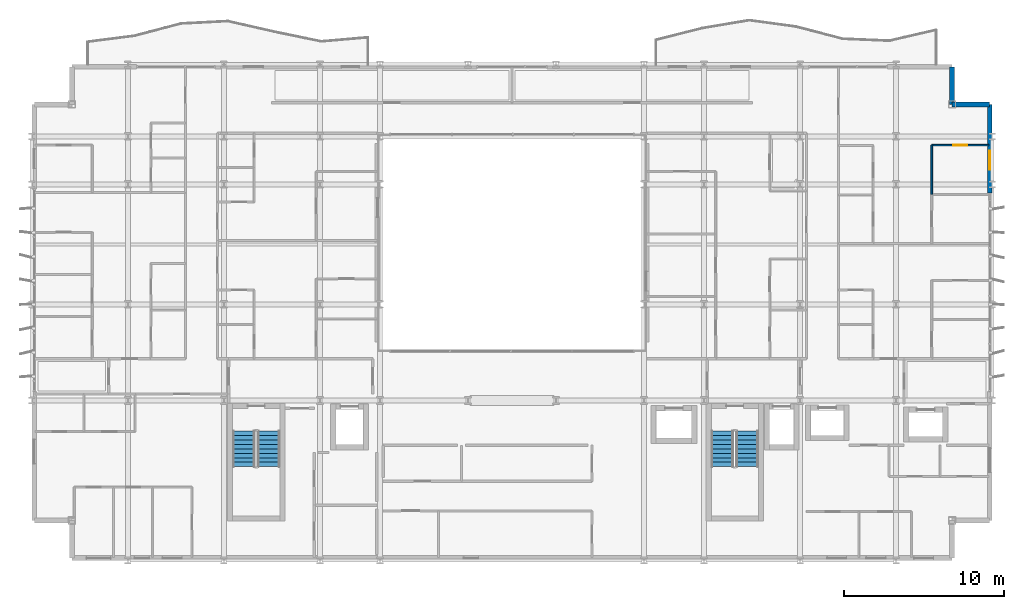
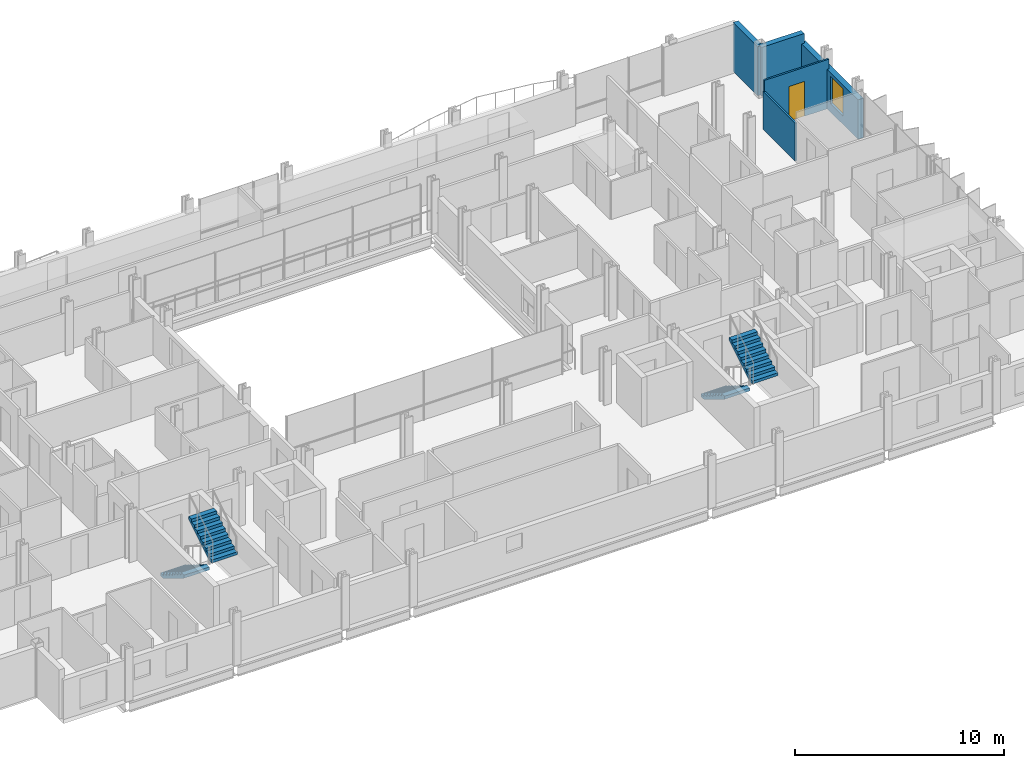
# One storey, part 33 of 39: 5 walls, 4 stair flights, 1 door, 1 window, 2 openings, 2 elements without a shape of their own.
"""IFC4 building model written with IfcOpenShell, lengths in metres."""

from ifc_helpers import new_model, si_unit, direction, frame, frame_2d, origin, place, context, subcontext, project, spatial, polyline, rectangle, outline, extrude, material, layer, layer_set, type_object, element, fill, aggregate, save


model = new_model("IFC4")

# Units and contexts
model_context = context("Model", 3, precision=1e-05, world=origin(), true_north=direction((0.0, 1.0)))
body_context = subcontext(model_context, "Body", "Model", "MODEL_VIEW")
ifc_project = project(units=[si_unit("LENGTHUNIT", "METRE"), si_unit("AREAUNIT", "SQUARE_METRE"), si_unit("VOLUMEUNIT", "CUBIC_METRE"), si_unit("PLANEANGLEUNIT", "RADIAN"), si_unit("MASSUNIT", "GRAM", prefix="KILO")], contexts=[model_context])

# Site, building, storey
site_placement = place(None, origin())
site = spatial("IfcSite", under=ifc_project, at=site_placement, CompositionType="ELEMENT")
building_placement = place(site_placement, origin())
building = spatial("IfcBuilding", under=site, at=building_placement, Name="Brevholm Reach", CompositionType="ELEMENT")
storey_placement = place(building_placement, frame((0.0, 0.0, 40.39990234375)))
storey = spatial("IfcBuildingStorey", under=building, at=storey_placement, Name="L10", CompositionType="ELEMENT", Elevation=40.39990234375)

# Walls
ifc_material_1 = material(Name="Concrete C40/50", Category="concrete")
ifc_layer_1 = layer(ifc_material_1, 0.300048828125)
ifc_layer_set_1 = layer_set([ifc_layer_1], Name="Concrete C40/50")
wall_type_1 = type_object("IfcWallType", Name="WAL-EXT-300", PredefinedType="STANDARD", material=ifc_layer_set_1)
for number, where, z_axis, x_axis, name in (
    (1, (59.85009765625, 28.5, 0.0), (0.0, 0.0, 1.0), (-1.0, 0.0, 0.0), "L10 Facade Wall WAL-L10-CNE1"),
    (2, (57.5, 28.5, 0.0), (0.0, 0.0, 1.0), (0.0, 1.0, 0.0), "L10 Facade Wall WAL-L10-CNE2"),
):
    element("IfcWall", number, at=place(storey_placement, frame(where, z_axis=z_axis, x_axis=x_axis)), inside=storey, type_object=wall_type_1, Name=name, PredefinedType="STANDARD", context=body_context, shape_type="SweptSolid", body=[
        extrude(rectangle(XDim=2.35009765625, YDim=0.300048828125, at=frame_2d((1.175048828125, 0.0))), origin(), (0.0, 0.0, 1.0), 2.8701171875),
    ])

# Wall, opening, window
wall_1_placement = place(storey_placement, frame((59.85009765625, 22.949951171875, 0.0), z_axis=(0.0, 0.0, 1.0), x_axis=(0.0, 1.0, 0.0)))
wall_1 = element("IfcWall", 3, at=wall_1_placement, inside=storey, type_object=wall_type_1, Name="L10 Facade Wall WAL-L10-E-N", PredefinedType="STANDARD", context=body_context, shape_type="SweptSolid", body=[
    extrude(rectangle(XDim=5.550048828125, YDim=0.300048828125, at=frame_2d((2.77490234375, 0.0))), origin(), (0.0, 0.0, 1.0), 2.3056640625),
])
opening_1_placement = place(wall_1_placement, frame((1.449951171875, 0.0, 0.486083984375)))
opening_1 = element("IfcOpeningElement", 4, at=opening_1_placement, cuts=wall_1, Name="Opening WN-08", PredefinedType="OPENING", context=body_context, shape_type="SweptSolid", body=[
    extrude(rectangle(XDim=1.199951171875, YDim=1.60009765625, at=frame_2d((0.60009765625, 0.800048828125))), frame((0.0, 0.159912109375, 0.0), z_axis=(0.0, -1.0, 0.0), x_axis=(1.0, 0.0, 0.0)), (0.0, 0.0, 1.0), 0.320068359375),
])
ifc_material_2 = material(Name="Dark Anodised Aluminium and Solar-Control IGU Glass", Category="aluminium")
window_type = type_object("IfcWindowType", Name="WIN-RES-1200", PartitioningType="SINGLE_PANEL", PredefinedType="WINDOW", material=ifc_material_2)
window_placement = place(opening_1_placement, origin())
window = element("IfcWindow", 5, at=window_placement, inside=storey, type_object=window_type, Name="L10 Window WIN-L10-EN-1", OverallHeight=1.60009765625, OverallWidth=1.199951171875, PartitioningType="SINGLE_PANEL", PredefinedType="WINDOW", context=body_context, shape_type="SweptSolid", body=[
    extrude(rectangle(XDim=1.199951171875, YDim=1.60009765625, at=frame_2d((0.60009765625, 0.800048828125))), frame((0.0, 0.030029296875, 0.0), z_axis=(0.0, -1.0, 0.0), x_axis=(1.0, 0.0, 0.0)), (0.0, 0.0, 1.0), 0.06005859375),
])
fill(opening_1, window)

# Wall, opening, door
ifc_material_3 = material(Name="Moisture-Resistant Acoustic Gypsum Stud Partition 100 mm", Category="gypsum")
ifc_layer_2 = layer(ifc_material_3, 0.10009765625)
ifc_layer_set_2 = layer_set([ifc_layer_2], Name="Moisture-Resistant Acoustic Gypsum Stud Partition 100 mm")
wall_type_2 = type_object("IfcWallType", Name="WAL-PRT-100", PredefinedType="PARTITIONING", material=ifc_layer_set_2)
wall_2_placement = place(storey_placement, frame((56.22802734375, 25.949951171875, 0.0), z_axis=(0.0, 0.0, 1.0), x_axis=(1.0, 0.0, 0.0)))
wall_2 = element("IfcWall", 6, at=wall_2_placement, inside=storey, type_object=wall_type_2, Name="L10 Internal Partition 157", PredefinedType="PARTITIONING", context=body_context, shape_type="SweptSolid", body=[
    extrude(rectangle(XDim=3.572021484375, YDim=0.10009765625, at=frame_2d((1.7861328125, 0.0))), origin(), (0.0, 0.0, 1.0), 2.8701171875),
])
opening_2_placement = place(wall_2_placement, frame((1.345947265625, 0.0, 0.0)))
opening_2 = element("IfcOpeningElement", 7, at=opening_2_placement, cuts=wall_2, Name="Opening ID-01", PredefinedType="OPENING", context=body_context, shape_type="SweptSolid", body=[
    extrude(rectangle(XDim=0.8798828125, YDim=2.0400390625, at=frame_2d((0.43994140625, 1.02001953125))), frame((0.0, 0.06005859375, 0.0), z_axis=(0.0, -1.0, 0.0), x_axis=(1.0, 0.0, 0.0)), (0.0, 0.0, 1.0), 0.1201171875),
])
ifc_material_4 = material(Name="Lacquered Ash Solid-Core Acoustic Internal Door", Category="timber")
door_type = type_object("IfcDoorType", Name="DOR-INT-880", OperationType="NOTDEFINED", PredefinedType="DOOR", material=ifc_material_4)
door_placement = place(opening_2_placement, origin())
door = element("IfcDoor", 8, at=door_placement, inside=storey, type_object=door_type, Name="L10 Internal Door 062", OperationType="SINGLE_SWING_RIGHT", OverallHeight=2.0400390625, OverallWidth=0.8798828125, PredefinedType="DOOR", context=body_context, shape_type="SweptSolid", body=[
    extrude(rectangle(XDim=0.8798828125, YDim=2.0400390625, at=frame_2d((0.43994140625, 1.02001953125))), frame((0.0, 0.02490234375, 0.0), z_axis=(0.0, -1.0, 0.0), x_axis=(1.0, 0.0, 0.0)), (0.0, 0.0, 1.0), 0.050048828125),
])
fill(opening_2, door)

# Wall
wall_3_placement = place(storey_placement, frame((56.22802734375, 22.87890625, 0.0), z_axis=(0.0, 0.0, 1.0), x_axis=(0.0, 1.0, 0.0)))
element("IfcWall", 9, at=wall_3_placement, inside=storey, type_object=wall_type_2, Name="L10 Internal Partition 158", PredefinedType="PARTITIONING", context=body_context, shape_type="SweptSolid", body=[
    extrude(rectangle(XDim=3.071044921875, YDim=0.10009765625, at=frame_2d((1.53564453125, 0.0))), origin(), (0.0, 0.0, 1.0), 2.224853515625),
])

# Stair, stair flights
ifc_material_5 = material(Name="Precast Concrete C40/50", Category="concrete")
stair_type = type_object("IfcStairType", Name="STR-ESC-1400", PredefinedType="DOUBLE_RETURN_STAIR", material=ifc_material_5)
stair_1_placement = place(storey_placement, origin())
stair_1 = element("IfcStair", 10, at=stair_1_placement, inside=storey, type_object=stair_type, Name="L10 ST-1", PredefinedType="DOUBLE_RETURN_STAIR")
ifc_material_6 = material(Name="Precast Concrete C40/50", Category="concrete")
ifc_layer_3 = layer(ifc_material_6, 0.18505859375)
ifc_layer_set_3 = layer_set([ifc_layer_3], Name="Precast Concrete C40/50")
stair_flight_type = type_object("IfcStairFlightType", Name="STF-PRC-185", PredefinedType="STRAIGHT", material=ifc_layer_set_3)
stair_flight_1_placement = place(storey_placement, frame((13.25, 8.10009765625, 0.0), z_axis=(0.0, 0.0, 1.0), x_axis=(0.0, -1.0, 0.0)))
stair_flight_1 = element("IfcStairFlight", 11, at=stair_flight_1_placement, type_object=stair_flight_type, Name="ST-1 flight 1", NumberOfRisers=9, NumberOfTreads=8, PredefinedType="STRAIGHT", RiserHeight=0.172222222, TreadLength=0.28, context=body_context, shape_type="SweptSolid", body=[
    extrude(outline(polyline([(0.0, 0.0), (0.0, 0.172119140625), (0.280029296875, 0.172119140625), (0.280029296875, 0.344482421875), (0.56005859375, 0.344482421875), (0.56005859375, 0.5166015625), (0.840087890625, 0.5166015625), (0.840087890625, 0.68896484375), (1.1201171875, 0.68896484375), (1.1201171875, 0.861083984375), (1.39990234375, 0.861083984375), (1.39990234375, 1.033447265625), (1.679931640625, 1.033447265625), (1.679931640625, 1.20556640625), (1.9599609375, 1.20556640625), (1.9599609375, 1.377685546875), (2.239990234375, 1.377685546875), (2.239990234375, 1.550048828125), (2.239990234375, 1.201904296875), (0.2861328125, 0.0), (0.0, 0.0)])), frame((0.0, 0.699951171875, 0.0), z_axis=(0.0, -1.0, 0.0), x_axis=(1.0, 0.0, 0.0)), (0.0, 0.0, 1.0), 1.39990234375),
])
stair_flight_2_placement = place(storey_placement, frame((14.800048828125, 5.860107421875, 1.550048828125), z_axis=(0.0, 0.0, 1.0), x_axis=(0.0, 1.0, 0.0)))
stair_flight_2 = element("IfcStairFlight", 12, at=stair_flight_2_placement, type_object=stair_flight_type, Name="ST-1 flight 2", NumberOfRisers=9, NumberOfTreads=8, PredefinedType="STRAIGHT", RiserHeight=0.172222222, TreadLength=0.28, context=body_context, shape_type="SweptSolid", body=[
    extrude(outline(polyline([(0.0, 0.0), (0.0, 0.172119140625), (0.280029296875, 0.172119140625), (0.280029296875, 0.344482421875), (0.56005859375, 0.344482421875), (0.56005859375, 0.5166015625), (0.840087890625, 0.5166015625), (0.840087890625, 0.68896484375), (1.1201171875, 0.68896484375), (1.1201171875, 0.861083984375), (1.39990234375, 0.861083984375), (1.39990234375, 1.033447265625), (1.679931640625, 1.033447265625), (1.679931640625, 1.20556640625), (1.9599609375, 1.20556640625), (1.9599609375, 1.377685546875), (2.239990234375, 1.377685546875), (2.239990234375, 1.550048828125), (2.239990234375, 1.201904296875), (0.2861328125, 0.0), (0.0, 0.0)])), frame((0.0, 0.699951171875, 0.0), z_axis=(0.0, -1.0, 0.0), x_axis=(1.0, 0.0, 0.0)), (0.0, 0.0, 1.0), 1.39990234375),
])
aggregate(stair_1, [stair_flight_1, stair_flight_2])

stair_2_placement = place(storey_placement, origin())
stair_2 = element("IfcStair", 13, at=stair_2_placement, inside=storey, type_object=stair_type, Name="L10 ST-2", PredefinedType="DOUBLE_RETURN_STAIR")
stair_flight_3_placement = place(storey_placement, frame((43.14990234375, 8.10009765625, 0.0), z_axis=(0.0, 0.0, 1.0), x_axis=(0.0, -1.0, 0.0)))
stair_flight_3 = element("IfcStairFlight", 14, at=stair_flight_3_placement, type_object=stair_flight_type, Name="ST-2 flight 1", NumberOfRisers=9, NumberOfTreads=8, PredefinedType="STRAIGHT", RiserHeight=0.172222222, TreadLength=0.28, context=body_context, shape_type="SweptSolid", body=[
    extrude(outline(polyline([(0.0, 0.0), (0.0, 0.172119140625), (0.280029296875, 0.172119140625), (0.280029296875, 0.344482421875), (0.56005859375, 0.344482421875), (0.56005859375, 0.5166015625), (0.840087890625, 0.5166015625), (0.840087890625, 0.68896484375), (1.1201171875, 0.68896484375), (1.1201171875, 0.861083984375), (1.39990234375, 0.861083984375), (1.39990234375, 1.033447265625), (1.679931640625, 1.033447265625), (1.679931640625, 1.20556640625), (1.9599609375, 1.20556640625), (1.9599609375, 1.377685546875), (2.239990234375, 1.377685546875), (2.239990234375, 1.550048828125), (2.239990234375, 1.201904296875), (0.2861328125, 0.0), (0.0, 0.0)])), frame((0.0, 0.699951171875, 0.0), z_axis=(0.0, -1.0, 0.0), x_axis=(1.0, 0.0, 0.0)), (0.0, 0.0, 1.0), 1.39990234375),
])
stair_flight_4_placement = place(storey_placement, frame((44.699951171875, 5.860107421875, 1.550048828125), z_axis=(0.0, 0.0, 1.0), x_axis=(0.0, 1.0, 0.0)))
stair_flight_4 = element("IfcStairFlight", 15, at=stair_flight_4_placement, type_object=stair_flight_type, Name="ST-2 flight 2", NumberOfRisers=9, NumberOfTreads=8, PredefinedType="STRAIGHT", RiserHeight=0.172222222, TreadLength=0.28, context=body_context, shape_type="SweptSolid", body=[
    extrude(outline(polyline([(0.0, 0.0), (0.0, 0.172119140625), (0.280029296875, 0.172119140625), (0.280029296875, 0.344482421875), (0.56005859375, 0.344482421875), (0.56005859375, 0.5166015625), (0.840087890625, 0.5166015625), (0.840087890625, 0.68896484375), (1.1201171875, 0.68896484375), (1.1201171875, 0.861083984375), (1.39990234375, 0.861083984375), (1.39990234375, 1.033447265625), (1.679931640625, 1.033447265625), (1.679931640625, 1.20556640625), (1.9599609375, 1.20556640625), (1.9599609375, 1.377685546875), (2.239990234375, 1.377685546875), (2.239990234375, 1.550048828125), (2.239990234375, 1.201904296875), (0.2861328125, 0.0), (0.0, 0.0)])), frame((0.0, 0.699951171875, 0.0), z_axis=(0.0, -1.0, 0.0), x_axis=(1.0, 0.0, 0.0)), (0.0, 0.0, 1.0), 1.39990234375),
])
aggregate(stair_2, [stair_flight_3, stair_flight_4])

save(model, "model.ifc")
